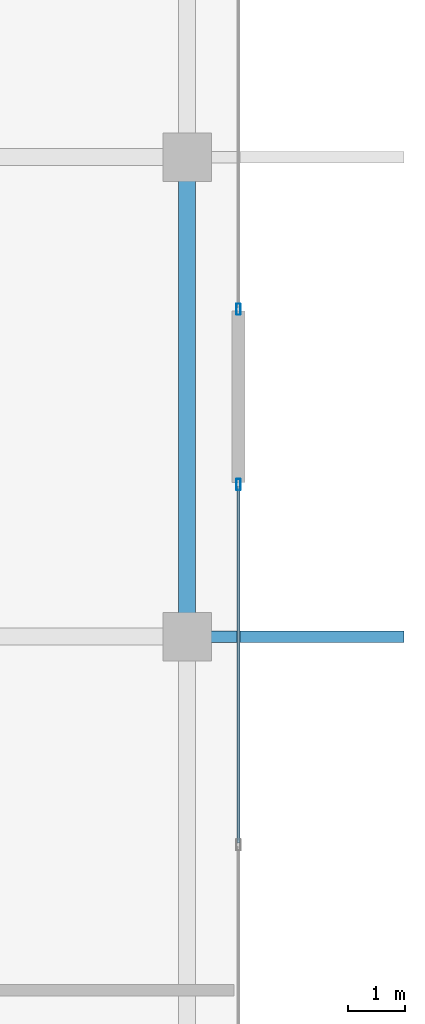
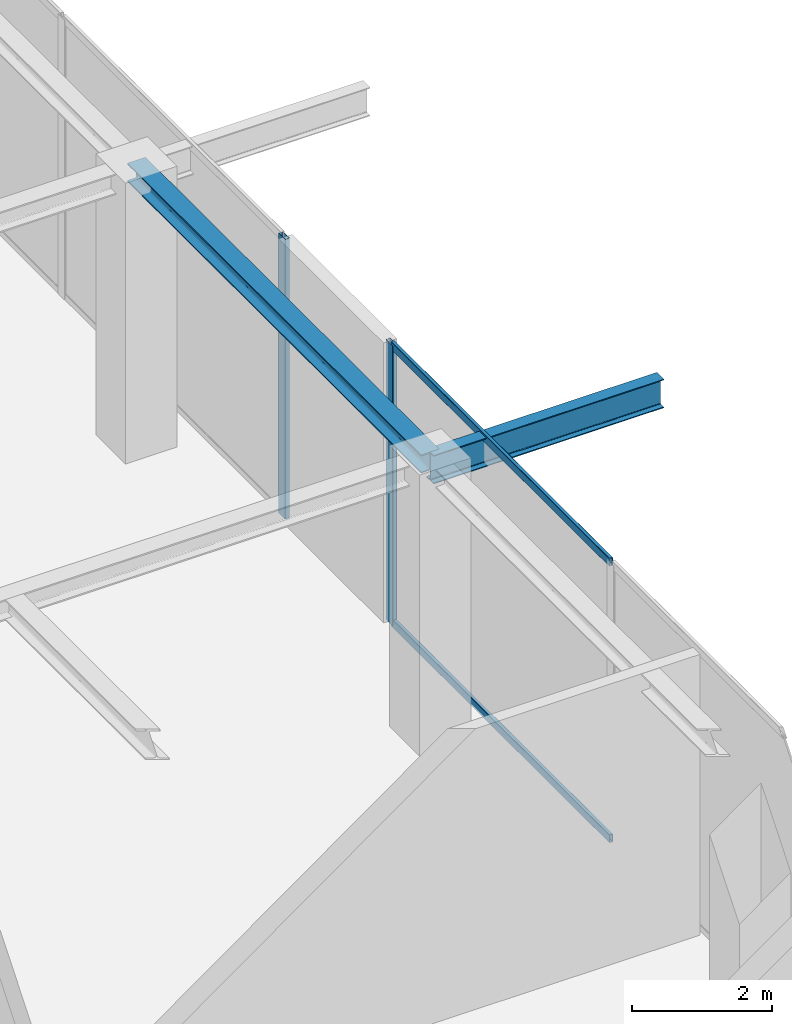
# One storey, part 14 of 27: 4 members, 2 beams, 2 elements without a shape of their own.
"""IFC4 building model written with IfcOpenShell, lengths in metres."""

import ifcopenshell
import ifcopenshell.guid

model = None  # the IFC model being written
_history = None  # IfcOwnerHistory: only IFC2X3 demands one
_inside = {}  # id of a spatial element -> (the spatial element, [elements in it])
_under = {}  # id of a project, library or spatial element -> (it, [spatial elements below it])
_declared = {}  # id of a project -> (the project, [libraries it declares])
_typed = {}  # id of a type object -> (the type object, [elements of that type])
_made_of = {}  # id of a material, layer set ... -> (it, [elements and type objects made of it])


def new_model(schema):
    """Start an empty IFC model of exactly this schema.

    Asked for "IFC4X3", IfcOpenShell would pick the latest addendum, in which some entities
    have other attributes; the version numbers below select the first issue.
    IFC2X3 requires an IfcOwnerHistory on every rooted entity: one is made here for all.
    """
    global model, _history
    if schema == "IFC4X3":
        model = ifcopenshell.file(schema_version=(4, 3, 0, 0))
    else:
        model = ifcopenshell.file(schema=schema)
    _inside.clear()
    _under.clear()
    _declared.clear()
    _typed.clear()
    _made_of.clear()
    _history = None
    if model.schema == "IFC2X3":
        org = make("IfcOrganization", Name="unknown")
        user = make(
            "IfcPersonAndOrganization",
            ThePerson=make("IfcPerson", FamilyName="unknown"),
            TheOrganization=org,
        )
        app = make(
            "IfcApplication",
            ApplicationDeveloper=org,
            Version="unknown",
            ApplicationFullName="unknown",
            ApplicationIdentifier="unknown",
        )
        _history = make(
            "IfcOwnerHistory",
            OwningUser=user,
            OwningApplication=app,
            ChangeAction="ADDED",
            CreationDate=0,
        )
    return model


def make(cls, **values):
    """One entity of the class cls with the attributes given. An attribute that is None is left unset."""
    return model.create_entity(
        cls, **{name: value for name, value in values.items() if value is not None}
    )


def rooted(cls, **values):
    """An entity with a GlobalId (a new one), such as an element, a storey or a relation."""
    return make(cls, GlobalId=ifcopenshell.guid.new(), OwnerHistory=_history, **values)


def si_unit(unit_type, name, prefix=None):
    """IfcSIUnit, for example si_unit("LENGTHUNIT", "METRE", prefix="MILLI")."""
    return make("IfcSIUnit", UnitType=unit_type, Prefix=prefix, Name=name)


def assignment(units):
    """IfcUnitAssignment: the units of a project."""
    return None if units is None else make("IfcUnitAssignment", Units=units)


def point(xyz):
    """IfcCartesianPoint."""
    return None if xyz is None else make("IfcCartesianPoint", Coordinates=xyz)


def direction(xyz):
    """IfcDirection."""
    return None if xyz is None else make("IfcDirection", DirectionRatios=xyz)


def frame(location, z_axis=None, x_axis=None):
    """IfcAxis2Placement3D, a coordinate frame: its origin and axes. An axis left out is left unset."""
    return make(
        "IfcAxis2Placement3D",
        Location=point(location),
        Axis=direction(z_axis),
        RefDirection=direction(x_axis),
    )


def frame_2d(location, x_axis=None):
    """IfcAxis2Placement2D, a coordinate frame in the plane: its origin and x axis."""
    return make(
        "IfcAxis2Placement2D", Location=point(location), RefDirection=direction(x_axis)
    )


def origin():
    """The frame at (0, 0, 0) with its axes left unset."""
    return frame((0.0, 0.0, 0.0))


def origin_2d():
    """The frame at (0, 0) in the plane with its x axis left unset."""
    return frame_2d((0.0, 0.0))


def place(relative_to, where):
    """IfcLocalPlacement: puts the frame where relative to a parent placement (None: the world)."""
    return make(
        "IfcLocalPlacement", PlacementRelTo=relative_to, RelativePlacement=where
    )


def context(
    kind, dimensions, precision=None, world=None, true_north=None, identifier=None
):
    """IfcGeometricRepresentationContext, for example the 3D "Model" context."""
    return make(
        "IfcGeometricRepresentationContext",
        ContextIdentifier=identifier,
        ContextType=kind,
        CoordinateSpaceDimension=dimensions,
        Precision=precision,
        WorldCoordinateSystem=world,
        TrueNorth=true_north,
    )


def subcontext(parent, identifier, kind, view, scale=None):
    """IfcGeometricRepresentationSubContext, for example "Body" below "Model"."""
    return make(
        "IfcGeometricRepresentationSubContext",
        ContextIdentifier=identifier,
        ContextType=kind,
        ParentContext=parent,
        TargetScale=scale,
        TargetView=view,
    )


def project(units=None, contexts=None):
    """IfcProject with its units and contexts."""
    return rooted(
        "IfcProject",
        Name="project",
        RepresentationContexts=contexts,
        UnitsInContext=assignment(units),
    )


def spatial(cls, under=None, at=None, **own):
    """A site, building, storey or space (cls), placed at a placement, below another one or the project."""
    s = rooted(cls, ObjectPlacement=at, **own)
    if under is not None:
        _under.setdefault(under.id(), (under, []))[1].append(s)
    return s


def profile(cls, at=None, kind="AREA", **sizes):
    """A parametric profile (cls). Its sizes go by their IFC names, for example OverallWidth=200.0."""
    return make(cls, ProfileType=kind, Position=at, **sizes)


def hollow_rectangle(**sizes):
    """IfcRectangleHollowProfileDef."""
    return profile("IfcRectangleHollowProfileDef", **sizes)


def i_section(**sizes):
    """IfcIShapeProfileDef."""
    return profile("IfcIShapeProfileDef", **sizes)


def extrude(swept, where, along, depth):
    """IfcExtrudedAreaSolid: the profile swept, set in the frame where, extruded along a direction by depth."""
    return make(
        "IfcExtrudedAreaSolid",
        SweptArea=swept,
        Position=where,
        ExtrudedDirection=direction(along),
        Depth=depth,
    )


def shape(context_of_items, identifier, shape_type, items):
    """IfcShapeRepresentation: the items that make up one representation, for example the "Body"."""
    return make(
        "IfcShapeRepresentation",
        ContextOfItems=context_of_items,
        RepresentationIdentifier=identifier,
        RepresentationType=shape_type,
        Items=items,
    )


def source(mapping_origin, context_of_items, identifier, shape_type, items):
    """IfcRepresentationMap: a shape defined once, which mapped items show again and again."""
    return make(
        "IfcRepresentationMap",
        MappingOrigin=mapping_origin,
        MappedRepresentation=shape(context_of_items, identifier, shape_type, items),
    )


def transform(
    local_origin,
    x_axis=None,
    y_axis=None,
    z_axis=None,
    scale=None,
    scale2=None,
    scale3=None,
    uniform=True,
):
    """IfcCartesianTransformationOperator3D, or its non-uniform kind. x_axis, y_axis, z_axis: its Axis1, 2, 3."""
    if uniform:
        return make(
            "IfcCartesianTransformationOperator3D",
            Axis1=direction(x_axis),
            Axis2=direction(y_axis),
            LocalOrigin=point(local_origin),
            Scale=scale,
            Axis3=direction(z_axis),
        )
    return make(
        "IfcCartesianTransformationOperator3DnonUniform",
        Axis1=direction(x_axis),
        Axis2=direction(y_axis),
        LocalOrigin=point(local_origin),
        Scale=scale,
        Axis3=direction(z_axis),
        Scale2=scale2,
        Scale3=scale3,
    )


def mapped(mapping_source, mapping_target):
    """IfcMappedItem: shows the shape of a source again, moved by a transform."""
    return make(
        "IfcMappedItem", MappingSource=mapping_source, MappingTarget=mapping_target
    )


def material(Name=None, Category=None):
    """IfcMaterial."""
    return make("IfcMaterial", Name=Name, Category=Category)


def layer(
    of_material, thickness, ventilated=None, Name=None, Category=None, Priority=None
):
    """IfcMaterialLayer: one layer of a wall or slab, of a material (None: an air gap)."""
    return make(
        "IfcMaterialLayer",
        Material=of_material,
        LayerThickness=thickness,
        IsVentilated=ventilated,
        Name=Name,
        Category=Category,
        Priority=Priority,
    )


def layer_set(layers, Name=None):
    """IfcMaterialLayerSet."""
    return make("IfcMaterialLayerSet", MaterialLayers=layers, LayerSetName=Name)


def material_profile(
    of_material, cross_section, Name=None, Category=None, Priority=None
):
    """IfcMaterialProfile: a cross section and its material."""
    return make(
        "IfcMaterialProfile",
        Name=Name,
        Material=of_material,
        Profile=cross_section,
        Priority=Priority,
        Category=Category,
    )


def profile_set(profiles, Name=None, composite=None):
    """IfcMaterialProfileSet."""
    return make(
        "IfcMaterialProfileSet",
        Name=Name,
        MaterialProfiles=profiles,
        CompositeProfile=composite,
    )


def made_of(thing, what):
    """Note that an element or type object is made of a material, layer set ...; save() writes the relation."""
    if what is not None:
        _made_of.setdefault(what.id(), (what, []))[1].append(thing)
    return thing


def type_object(cls, material=None, **own):
    """A type object (cls), such as IfcWallType, which elements share."""
    return made_of(rooted(cls, **own), material)


def element(
    cls,
    number,
    at=None,
    inside=None,
    cuts=None,
    type_object=None,
    material=None,
    context=None,
    identifier="Body",
    shape_type=None,
    held_by="IfcProductDefinitionShape",
    body=None,
    shapes=None,
    **own,
):
    """One element of the class cls, such as IfcWall. Its Tag is "e" and its number.

    at: its placement. inside: the storey or other place that contains it. cuts: it is an
    opening in that element (IfcRelVoidsElement). A single representation is given by context,
    identifier, shape_type and body (its items); several are given by shapes. held_by: the class
    of the entity that holds the representations. save() writes the other relations.
    """
    e = rooted(cls, Tag="e%d" % number, ObjectPlacement=at, **own)
    if body is not None:
        shapes = [shape(context, identifier, shape_type, body)]
    if shapes is not None:
        e.Representation = make(held_by, Representations=shapes)
    if inside is not None:
        _inside.setdefault(inside.id(), (inside, []))[1].append(e)
    if cuts is not None:
        rooted(
            "IfcRelVoidsElement", RelatingBuildingElement=cuts, RelatedOpeningElement=e
        )
    if type_object is not None:
        _typed.setdefault(type_object.id(), (type_object, []))[1].append(e)
    return made_of(e, material)


def aggregate(whole, parts):
    """IfcRelAggregates: a whole, such as a stair, and the parts it consists of."""
    return rooted("IfcRelAggregates", RelatingObject=whole, RelatedObjects=parts)


def save(model, path):
    """Write the relations noted so far, then the file.

    IfcRelAggregates (storeys below a building ...), IfcRelContainedInSpatialStructure (elements
    in a storey), IfcRelDefinesByType, IfcRelAssociatesMaterial and IfcRelDeclares: one each for
    every whole, place, type object, material and project.
    """
    for whole, parts in _under.values():
        aggregate(whole, parts)
    for where, things in _inside.values():
        rooted(
            "IfcRelContainedInSpatialStructure",
            RelatedElements=things,
            RelatingStructure=where,
        )
    for kind, things in _typed.values():
        rooted("IfcRelDefinesByType", RelatedObjects=things, RelatingType=kind)
    for what, things in _made_of.values():
        rooted("IfcRelAssociatesMaterial", RelatedObjects=things, RelatingMaterial=what)
    for by, libraries in _declared.values():
        rooted("IfcRelDeclares", RelatingContext=by, RelatedDefinitions=libraries)
    model.write(path)


model = new_model("IFC4")

# Units and contexts
model_context = context("Model", 3, precision=1e-05, world=origin(), true_north=direction((0.0, 1.0)))
body_context = subcontext(model_context, "Body", "Model", "MODEL_VIEW")
ifc_project = project(units=[si_unit("LENGTHUNIT", "METRE"), si_unit("AREAUNIT", "SQUARE_METRE"), si_unit("VOLUMEUNIT", "CUBIC_METRE"), si_unit("PLANEANGLEUNIT", "RADIAN"), si_unit("MASSUNIT", "GRAM", prefix="KILO")], contexts=[model_context])

# Site, building, storey
site_placement = place(None, origin())
site = spatial("IfcSite", under=ifc_project, at=site_placement, CompositionType="ELEMENT")
building_placement = place(site_placement, origin())
building = spatial("IfcBuilding", under=site, at=building_placement, Name="Serunith Strait Residences", CompositionType="ELEMENT")
storey_placement = place(building_placement, frame((0.0, 0.0, 365.75)))
storey = spatial("IfcBuildingStorey", under=building, at=storey_placement, Name="L89", CompositionType="ELEMENT", Elevation=365.75)

# Beams
ifc_material_1 = material(Name="Steel S355J2", Category="steel")
ifc_material_profile_1 = material_profile(ifc_material_1, i_section(OverallWidth=0.300048828125, OverallDepth=0.320068359375, WebThickness=0.011474609375, FlangeThickness=0.0205078125, FilletRadius=0.027099609375, at=origin_2d()), Name="HEB 320")
ifc_profile_set_1 = profile_set([ifc_material_profile_1], Name="Steel S355J2")
beam_type_1 = type_object("IfcBeamType", Name="BM-HEB320", PredefinedType="BEAM", material=ifc_profile_set_1)
shared_shape_1 = source(origin(), body_context, "Body", "SweptSolid", [
    extrude(i_section(OverallWidth=0.300048828125, OverallDepth=0.320068359375, WebThickness=0.011474609375, FlangeThickness=0.0205078125, FilletRadius=0.027099609375, at=origin_2d()), origin(), (0.0, 0.0, 1.0), 8.39990234375),
])
beam_1_placement = place(storey_placement, frame((53.10009765625, 21.0, 4.737060546875), z_axis=(0.0, 1.0, 0.0), x_axis=(-1.0, 0.0, 0.0)))
element("IfcBeam", 1, at=beam_1_placement, inside=storey, type_object=beam_type_1, Name="L89 Perimeter Ring Beam 06", PredefinedType="BEAM", context=body_context, shape_type="MappedRepresentation", body=[
    mapped(shared_shape_1, transform((0.0, 0.0, 0.0), scale=1.0)),
])
ifc_material_profile_2 = material_profile(ifc_material_1, i_section(OverallWidth=0.199951171875, OverallDepth=0.5, WebThickness=0.01025390625, FlangeThickness=0.01611328125, FilletRadius=0.02099609375, at=origin_2d()), Name="IPE 500")
ifc_profile_set_2 = profile_set([ifc_material_profile_2], Name="Steel S355J2")
beam_type_2 = type_object("IfcBeamType", Name="BM-IPE500", PredefinedType="JOIST", material=ifc_profile_set_2)
shared_shape_2 = source(origin(), body_context, "Body", "SweptSolid", [
    extrude(i_section(OverallWidth=0.199951171875, OverallDepth=0.5, WebThickness=0.01025390625, FlangeThickness=0.01611328125, FilletRadius=0.02099609375, at=origin_2d()), origin(), (0.0, 0.0, 1.0), 3.7998046875),
])
beam_2_placement = place(storey_placement, frame((53.10009765625, 21.0, 4.64697265625), z_axis=(1.0, 0.0, 0.0), x_axis=(0.0, 1.0, 0.0)))
element("IfcBeam", 2, at=beam_2_placement, inside=storey, type_object=beam_type_2, Name="Crown Canopy Cantilever Rafter TC-E2", PredefinedType="JOIST", context=body_context, shape_type="MappedRepresentation", body=[
    mapped(shared_shape_2, transform((0.0, 0.0, 0.0), scale=1.0)),
])

# Curtain wall, member
ifc_material_2 = material(Name="Pale-Silver Anodised Aluminium", Category="aluminium")
ifc_layer = layer(ifc_material_2, 0.199951171875, Name="Pale-Silver Anodised Aluminium")
ifc_layer_set = layer_set([ifc_layer], Name="Pale-Silver Anodised Aluminium")
curtain_wall_type = type_object("IfcCurtainWallType", Name="CW-SYS7", PredefinedType="NOTDEFINED", material=ifc_layer_set)
curtain_wall_1_placement = place(storey_placement, origin())
curtain_wall_1 = element("IfcCurtainWall", 3, at=curtain_wall_1_placement, inside=storey, type_object=curtain_wall_type, Name="L89 E Unitised Fritted Curtain Wall", PredefinedType="NOTDEFINED")
ifc_material_profile_3 = material_profile(ifc_material_2, hollow_rectangle(XDim=0.072021484375, YDim=0.195068359375, WallThickness=0.00390625, InnerFilletRadius=0.006103515625, OuterFilletRadius=0.010009765625, at=origin_2d()), Name="ALU 195x72x4")
ifc_profile_set_3 = profile_set([ifc_material_profile_3], Name="Pale-Silver Anodised Aluminium")
member_type_1 = type_object("IfcMemberType", Name="CW-SYS7-MULL", PredefinedType="MULLION", material=ifc_profile_set_3)
shared_shape_3 = source(origin(), body_context, "Body", "SweptSolid", [
    extrude(hollow_rectangle(XDim=0.072021484375, YDim=0.195068359375, WallThickness=0.00390625, InnerFilletRadius=0.006103515625, OuterFilletRadius=0.010009765625, at=origin_2d()), origin(), (0.0, 0.0, 1.0), 4.885009765625),
])
member_1_placement = place(storey_placement, frame((54.0, 23.6640625, 0.0), z_axis=(0.0, 0.0, 1.0), x_axis=(-1.0, 0.0, 0.0)))
member_1 = element("IfcMember", 4, at=member_1_placement, type_object=member_type_1, Name="CW-7 mullion 3", PredefinedType="MULLION", context=body_context, shape_type="MappedRepresentation", body=[
    mapped(shared_shape_3, transform((0.0, 0.0, 0.0), scale=1.0)),
])

curtain_wall_2_placement = place(storey_placement, origin())
curtain_wall_2 = element("IfcCurtainWall", 5, at=curtain_wall_2_placement, inside=storey, type_object=curtain_wall_type, Name="L89 E Unitised Fritted Curtain Wall", PredefinedType="NOTDEFINED")
member_2_placement = place(storey_placement, frame((54.0, 26.736083984375, 0.0), z_axis=(0.0, 0.0, 1.0), x_axis=(-1.0, 0.0, 0.0)))
member_2 = element("IfcMember", 6, at=member_2_placement, type_object=member_type_1, Name="CW-7 mullion 1", PredefinedType="MULLION", context=body_context, shape_type="MappedRepresentation", body=[
    mapped(shared_shape_3, transform((0.0, 0.0, 0.0), scale=1.0)),
])
aggregate(curtain_wall_2, [member_2])

# Member
ifc_material_profile_4 = material_profile(ifc_material_2, hollow_rectangle(XDim=0.06005859375, YDim=0.139892578125, WallThickness=0.00341796875, InnerFilletRadius=0.00537109375, OuterFilletRadius=0.0087890625, at=origin_2d()), Name="ALU 140x60x3.5")
ifc_profile_set_4 = profile_set([ifc_material_profile_4], Name="Pale-Silver Anodised Aluminium")
member_type_2 = type_object("IfcMemberType", Name="CW-SYS7-TRAN", PredefinedType="USERDEFINED", material=ifc_profile_set_4)
shared_shape_4 = source(origin(), body_context, "Body", "SweptSolid", [
    extrude(hollow_rectangle(XDim=0.06005859375, YDim=0.139892578125, WallThickness=0.00341796875, InnerFilletRadius=0.00537109375, OuterFilletRadius=0.0087890625, at=origin_2d()), origin(), (0.0, 0.0, 1.0), 6.241943359375),
])
member_3_placement = place(storey_placement, frame((54.0, 17.385986328125, 0.030029296875), z_axis=(0.0, 1.0, 0.0), x_axis=(-1.0, 0.0, 0.0)))
member_3 = element("IfcMember", 7, at=member_3_placement, type_object=member_type_2, Name="CW-7 transom 2.1", ObjectType="TRANSOM", PredefinedType="USERDEFINED", context=body_context, shape_type="MappedRepresentation", body=[
    mapped(shared_shape_4, transform((0.0, 0.0, 0.0), scale=1.0)),
])

member_4_placement = place(storey_placement, frame((54.0, 17.385986328125, 4.85498046875), z_axis=(0.0, 1.0, 0.0), x_axis=(-1.0, 0.0, 0.0)))
member_4 = element("IfcMember", 8, at=member_4_placement, type_object=member_type_2, Name="CW-7 transom 2.2", ObjectType="TRANSOM", PredefinedType="USERDEFINED", context=body_context, shape_type="MappedRepresentation", body=[
    mapped(shared_shape_4, transform((0.0, 0.0, 0.0), scale=1.0)),
])

aggregate(curtain_wall_1, [member_1, member_3, member_4])

save(model, "model.ifc")
